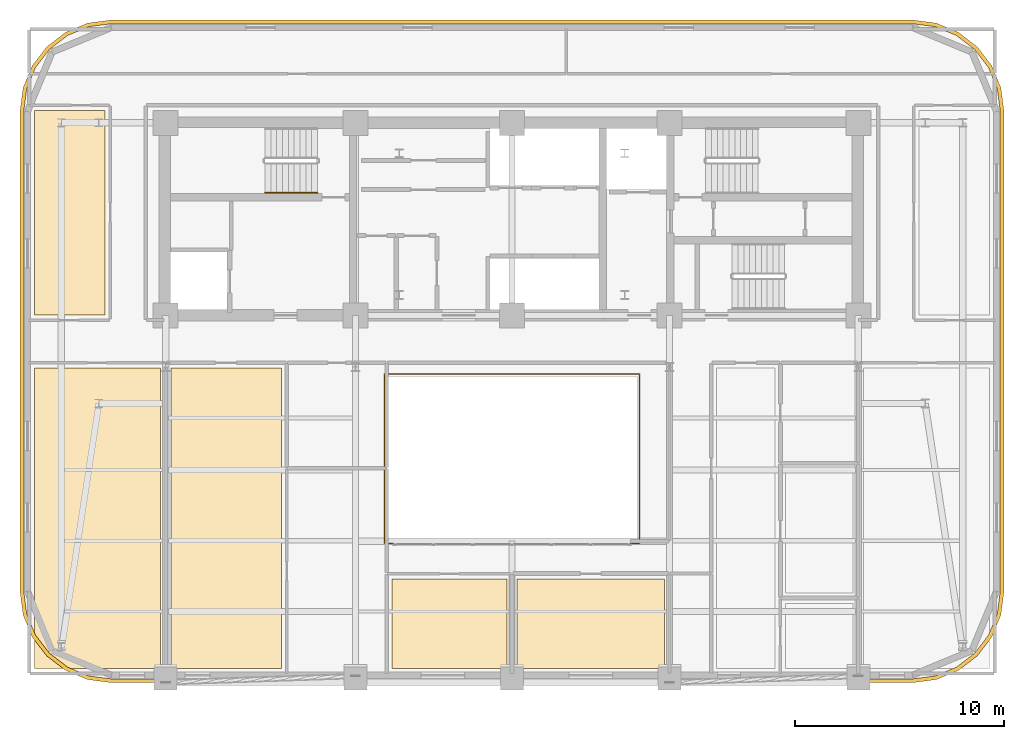
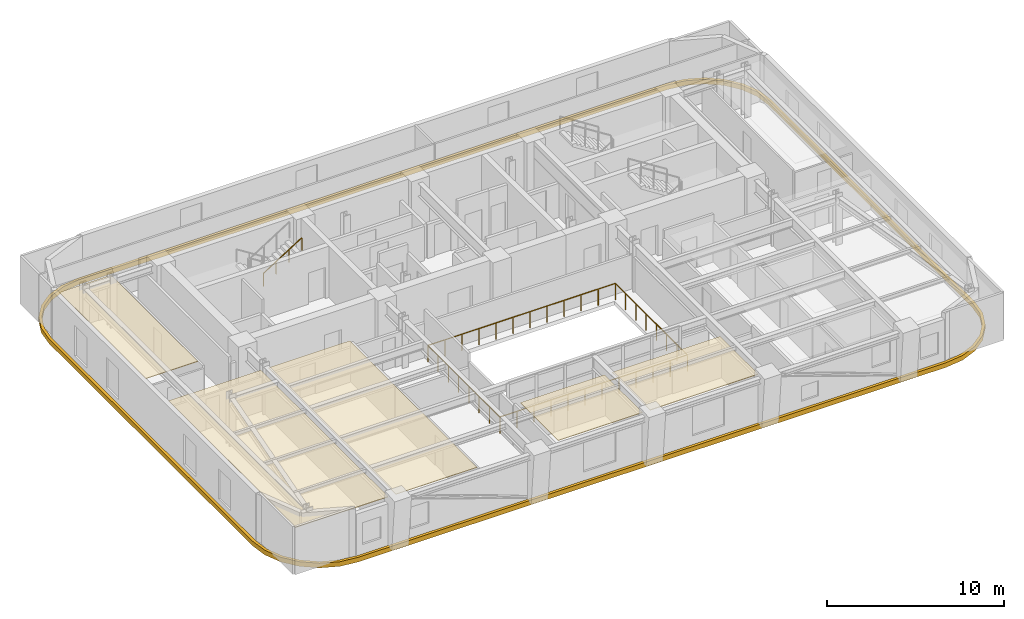
# One storey, part 10 of 12: 6 coverings, 2 railings.
"""IFC4 building model written with IfcOpenShell, lengths in metres."""

from ifc_helpers import new_model, si_unit, direction, frame, origin, origin_2d, place, context, subcontext, project, spatial, polyline, rectangle, outline, extrude, material, layer, layer_set, type_object, element, save


model = new_model("IFC4")

# Units and contexts
model_context = context("Model", 3, precision=1e-05, world=origin(), true_north=direction((0.0, 1.0)))
body_context = subcontext(model_context, "Body", "Model", "MODEL_VIEW")
ifc_project = project(units=[si_unit("LENGTHUNIT", "METRE"), si_unit("AREAUNIT", "SQUARE_METRE"), si_unit("VOLUMEUNIT", "CUBIC_METRE"), si_unit("PLANEANGLEUNIT", "RADIAN"), si_unit("MASSUNIT", "GRAM", prefix="KILO")], contexts=[model_context])

# Site, building, storey
site_placement = place(None, origin())
site = spatial("IfcSite", under=ifc_project, at=site_placement, CompositionType="ELEMENT")
building_placement = place(site_placement, origin())
building = spatial("IfcBuilding", under=site, at=building_placement, Name="Zarnavel Station Tower", CompositionType="ELEMENT")
storey_placement = place(building_placement, frame((0.0, 0.0, 173.199951171875)))
storey = spatial("IfcBuildingStorey", under=building, at=storey_placement, Name="L47", CompositionType="ELEMENT", Elevation=173.199951171875)

# Coverings
ifc_material_1 = material(Name="Perforated Gypsum and Mineral-Wool Acoustic Ceiling", Category="concrete")
ifc_layer = layer(ifc_material_1, 0.0400390625)
ifc_layer_set = layer_set([ifc_layer], Name="COV_CEIL_ACOUSTIC")
covering_type_1 = type_object("IfcCoveringType", Name="COV_CEIL_ACOUSTIC", PredefinedType="CEILING", material=ifc_layer_set)
covering_1_placement = place(storey_placement, frame((0.0, 0.0, 2.969970703125)))
element("IfcCovering", 1, at=covering_1_placement, inside=storey, type_object=covering_type_1, Name="L47 FNW Acoustic Ceiling", PredefinedType="CEILING", context=body_context, shape_type="SweptSolid", body=[
    extrude(outline(polyline([(5.909912109375, 27.85009765625), (9.300048828125, 27.85009765625), (9.300048828125, 37.64990234375), (5.909912109375, 37.64990234375), (5.909912109375, 27.85009765625)])), origin(), (0.0, 0.0, 1.0), 0.0400390625),
])
covering_2_placement = place(storey_placement, frame((0.0, 0.0, 2.969970703125)))
element("IfcCovering", 2, at=covering_2_placement, inside=storey, type_object=covering_type_1, Name="L47 L47SPA Acoustic Ceiling", PredefinedType="CEILING", context=body_context, shape_type="SweptSolid", body=[
    extrude(outline(polyline([(5.909912109375, 10.909912109375), (11.949951171875, 10.909912109375), (11.949951171875, 25.300048828125), (5.909912109375, 25.300048828125), (5.909912109375, 10.909912109375)])), origin(), (0.0, 0.0, 1.0), 0.0400390625),
])
covering_3_placement = place(storey_placement, frame((0.0, 0.0, 2.969970703125)))
element("IfcCovering", 3, at=covering_3_placement, inside=storey, type_object=covering_type_1, Name="L47 L47TRM Acoustic Ceiling", PredefinedType="CEILING", context=body_context, shape_type="SweptSolid", body=[
    extrude(outline(polyline([(12.449951171875, 10.909912109375), (17.75, 10.909912109375), (17.75, 25.300048828125), (12.449951171875, 25.300048828125), (12.449951171875, 10.909912109375)])), origin(), (0.0, 0.0, 1.0), 0.0400390625),
])
covering_4_placement = place(storey_placement, frame((0.0, 0.0, 2.969970703125)))
element("IfcCovering", 4, at=covering_4_placement, inside=storey, type_object=covering_type_1, Name="L47 L47DIN Acoustic Ceiling", PredefinedType="CEILING", context=body_context, shape_type="SweptSolid", body=[
    extrude(outline(polyline([(23.050048828125, 10.909912109375), (28.550048828125, 10.909912109375), (28.550048828125, 15.199951171875), (23.050048828125, 15.199951171875), (23.050048828125, 10.909912109375)])), origin(), (0.0, 0.0, 1.0), 0.0400390625),
])
covering_5_placement = place(storey_placement, frame((0.0, 0.0, 2.969970703125)))
element("IfcCovering", 5, at=covering_5_placement, inside=storey, type_object=covering_type_1, Name="L47 L47KIT Acoustic Ceiling", PredefinedType="CEILING", context=body_context, shape_type="SweptSolid", body=[
    extrude(outline(polyline([(29.050048828125, 10.909912109375), (36.10009765625, 10.909912109375), (36.10009765625, 15.199951171875), (29.050048828125, 15.199951171875), (29.050048828125, 10.909912109375)])), origin(), (0.0, 0.0, 1.0), 0.0400390625),
])
ifc_material_2 = material(Name="Precast concrete C45/55 (Pale Travertine Slab Band)", Category="masonry")
covering_type_2 = type_object("IfcCoveringType", Name="COV_TRAVERTINE_BAND", PredefinedType="CLADDING", material=ifc_material_2)
covering_6_placement = place(storey_placement, frame((0.0, 0.0, -0.260009765625)))
element("IfcCovering", 6, at=covering_6_placement, inside=storey, type_object=covering_type_2, Name="L47 Pale Travertine Slab-Edge Band", PredefinedType="CLADDING", context=body_context, shape_type="SweptSolid", body=[
    extrude(outline(polyline([(48.0, 10.219970703125), (49.133544921875, 10.369140625), (50.18994140625, 10.806884765625), (51.09716796875, 11.5029296875), (51.793212890625, 12.409912109375), (52.230712890625, 13.46630859375), (52.3798828125, 14.60009765625), (52.3798828125, 37.60009765625), (52.230712890625, 38.733642578125), (51.793212890625, 39.7900390625), (51.09716796875, 40.697021484375), (50.18994140625, 41.393310546875), (49.133544921875, 41.830810546875), (48.0, 41.97998046875), (9.60009765625, 41.97998046875), (8.46630859375, 41.830810546875), (7.409912109375, 41.393310546875), (6.5029296875, 40.697021484375), (5.806884765625, 39.7900390625), (5.369140625, 38.733642578125), (5.219970703125, 37.60009765625), (5.219970703125, 14.60009765625), (5.369140625, 13.46630859375), (5.806884765625, 12.409912109375), (6.5029296875, 11.5029296875), (7.409912109375, 10.806884765625), (8.46630859375, 10.369140625), (9.60009765625, 10.219970703125), (48.0, 10.219970703125)]), holes=[polyline([(48.0, 10.39990234375), (49.0869140625, 10.543212890625), (50.10009765625, 10.962646484375), (50.9697265625, 11.630126953125), (51.63720703125, 12.5), (52.056884765625, 13.512939453125), (52.199951171875, 14.60009765625), (52.199951171875, 37.60009765625), (52.056884765625, 38.68701171875), (51.63720703125, 39.699951171875), (50.9697265625, 40.56982421875), (50.10009765625, 41.2373046875), (49.0869140625, 41.656982421875), (48.0, 41.800048828125), (9.60009765625, 41.800048828125), (8.512939453125, 41.656982421875), (7.5, 41.2373046875), (6.630126953125, 40.56982421875), (5.962646484375, 39.699951171875), (5.543212890625, 38.68701171875), (5.39990234375, 37.60009765625), (5.39990234375, 14.60009765625), (5.543212890625, 13.512939453125), (5.962646484375, 12.5), (6.630126953125, 11.630126953125), (7.5, 10.962646484375), (8.512939453125, 10.543212890625), (9.60009765625, 10.39990234375), (48.0, 10.39990234375)])]), origin(), (0.0, 0.0, 1.0), 0.320068359375),
])

# Railings
ifc_material_3 = material(Name="Painted Steel S355J2 Balustrade", Category="steel")
railing_type_1 = type_object("IfcRailingType", Name="GR_INT_1150", PredefinedType="GUARDRAIL", material=ifc_material_3)
railing_1_placement = place(storey_placement, frame((22.679931640625, 16.8798828125, 0.0)))
element("IfcRailing", 7, at=railing_1_placement, inside=storey, type_object=railing_type_1, Name="L47 Atrium Void Guardrail", PredefinedType="GUARDRAIL", context=body_context, shape_type="SweptSolid", body=[
    extrude(rectangle(XDim=0.048095703125, YDim=0.048095703125, at=origin_2d()), frame((0.001953125, 0.0, 1.1259765625), z_axis=(1.0, 0.0, 0.0), x_axis=(0.0, 1.0, 0.0)), (0.0, 0.0, 1.0), 12.236083984375),
    extrude(rectangle(XDim=0.048095703125, YDim=0.048095703125, at=origin_2d()), frame((12.239990234375, 0.001953125, 1.1259765625), z_axis=(0.0, 1.0, 0.0), x_axis=(-1.0, 0.0, 0.0)), (0.0, 0.0, 1.0), 8.13623046875),
    extrude(rectangle(XDim=0.048095703125, YDim=0.048095703125, at=origin_2d()), frame((12.238037109375, 8.14013671875, 1.1259765625), z_axis=(-1.0, 0.0, 0.0), x_axis=(0.0, -1.0, 0.0)), (0.0, 0.0, 1.0), 12.236083984375),
    extrude(rectangle(XDim=0.048095703125, YDim=0.048095703125, at=origin_2d()), frame((0.0, 8.13818359375, 1.1259765625), z_axis=(0.0, -1.0, 0.0), x_axis=(1.0, 0.0, 0.0)), (0.0, 0.0, 1.0), 8.13623046875),
    extrude(rectangle(XDim=0.0419921875, YDim=0.0419921875, at=origin_2d()), origin(), (0.0, 0.0, 1.0), 1.101806640625),
    extrude(rectangle(XDim=0.0419921875, YDim=0.0419921875, at=origin_2d()), frame((1.11279296875, 0.0, 0.0)), (0.0, 0.0, 1.0), 1.101806640625),
    extrude(rectangle(XDim=0.0419921875, YDim=0.0419921875, at=origin_2d()), frame((2.225341796875, 0.0, 0.0)), (0.0, 0.0, 1.0), 1.101806640625),
    extrude(rectangle(XDim=0.0419921875, YDim=0.0419921875, at=origin_2d()), frame((3.338134765625, 0.0, 0.0)), (0.0, 0.0, 1.0), 1.101806640625),
    extrude(rectangle(XDim=0.0419921875, YDim=0.0419921875, at=origin_2d()), frame((4.450927734375, 0.0, 0.0)), (0.0, 0.0, 1.0), 1.101806640625),
    extrude(rectangle(XDim=0.0419921875, YDim=0.0419921875, at=origin_2d()), frame((5.563720703125, 0.0, 0.0)), (0.0, 0.0, 1.0), 1.101806640625),
    extrude(rectangle(XDim=0.0419921875, YDim=0.0419921875, at=origin_2d()), frame((6.67626953125, 0.0, 0.0)), (0.0, 0.0, 1.0), 1.101806640625),
    extrude(rectangle(XDim=0.0419921875, YDim=0.0419921875, at=origin_2d()), frame((7.7890625, 0.0, 0.0)), (0.0, 0.0, 1.0), 1.101806640625),
    extrude(rectangle(XDim=0.0419921875, YDim=0.0419921875, at=origin_2d()), frame((8.90185546875, 0.0, 0.0)), (0.0, 0.0, 1.0), 1.101806640625),
    extrude(rectangle(XDim=0.0419921875, YDim=0.0419921875, at=origin_2d()), frame((10.0146484375, 0.0, 0.0)), (0.0, 0.0, 1.0), 1.101806640625),
    extrude(rectangle(XDim=0.0419921875, YDim=0.0419921875, at=origin_2d()), frame((11.127197265625, 0.0, 0.0)), (0.0, 0.0, 1.0), 1.101806640625),
    extrude(rectangle(XDim=0.0419921875, YDim=0.0419921875, at=origin_2d()), frame((12.239990234375, 0.0, 0.0)), (0.0, 0.0, 1.0), 1.101806640625),
    extrude(rectangle(XDim=0.0419921875, YDim=0.0419921875, at=origin_2d()), frame((12.239990234375, 1.162841796875, 0.0)), (0.0, 0.0, 1.0), 1.101806640625),
    extrude(rectangle(XDim=0.0419921875, YDim=0.0419921875, at=origin_2d()), frame((12.239990234375, 2.32568359375, 0.0)), (0.0, 0.0, 1.0), 1.101806640625),
    extrude(rectangle(XDim=0.0419921875, YDim=0.0419921875, at=origin_2d()), frame((12.239990234375, 3.488525390625, 0.0)), (0.0, 0.0, 1.0), 1.101806640625),
    extrude(rectangle(XDim=0.0419921875, YDim=0.0419921875, at=origin_2d()), frame((12.239990234375, 4.651611328125, 0.0)), (0.0, 0.0, 1.0), 1.101806640625),
    extrude(rectangle(XDim=0.0419921875, YDim=0.0419921875, at=origin_2d()), frame((12.239990234375, 5.814453125, 0.0)), (0.0, 0.0, 1.0), 1.101806640625),
    extrude(rectangle(XDim=0.0419921875, YDim=0.0419921875, at=origin_2d()), frame((12.239990234375, 6.977294921875, 0.0)), (0.0, 0.0, 1.0), 1.101806640625),
    extrude(rectangle(XDim=0.0419921875, YDim=0.0419921875, at=origin_2d()), frame((12.239990234375, 8.14013671875, 0.0)), (0.0, 0.0, 1.0), 1.101806640625),
    extrude(rectangle(XDim=0.0419921875, YDim=0.0419921875, at=origin_2d()), frame((11.127197265625, 8.14013671875, 0.0)), (0.0, 0.0, 1.0), 1.101806640625),
    extrude(rectangle(XDim=0.0419921875, YDim=0.0419921875, at=origin_2d()), frame((10.0146484375, 8.14013671875, 0.0)), (0.0, 0.0, 1.0), 1.101806640625),
    extrude(rectangle(XDim=0.0419921875, YDim=0.0419921875, at=origin_2d()), frame((8.90185546875, 8.14013671875, 0.0)), (0.0, 0.0, 1.0), 1.101806640625),
    extrude(rectangle(XDim=0.0419921875, YDim=0.0419921875, at=origin_2d()), frame((7.7890625, 8.14013671875, 0.0)), (0.0, 0.0, 1.0), 1.101806640625),
    extrude(rectangle(XDim=0.0419921875, YDim=0.0419921875, at=origin_2d()), frame((6.67626953125, 8.14013671875, 0.0)), (0.0, 0.0, 1.0), 1.101806640625),
    extrude(rectangle(XDim=0.0419921875, YDim=0.0419921875, at=origin_2d()), frame((5.563720703125, 8.14013671875, 0.0)), (0.0, 0.0, 1.0), 1.101806640625),
    extrude(rectangle(XDim=0.0419921875, YDim=0.0419921875, at=origin_2d()), frame((4.450927734375, 8.14013671875, 0.0)), (0.0, 0.0, 1.0), 1.101806640625),
    extrude(rectangle(XDim=0.0419921875, YDim=0.0419921875, at=origin_2d()), frame((3.338134765625, 8.14013671875, 0.0)), (0.0, 0.0, 1.0), 1.101806640625),
    extrude(rectangle(XDim=0.0419921875, YDim=0.0419921875, at=origin_2d()), frame((2.225341796875, 8.14013671875, 0.0)), (0.0, 0.0, 1.0), 1.101806640625),
    extrude(rectangle(XDim=0.0419921875, YDim=0.0419921875, at=origin_2d()), frame((1.11279296875, 8.14013671875, 0.0)), (0.0, 0.0, 1.0), 1.101806640625),
    extrude(rectangle(XDim=0.0419921875, YDim=0.0419921875, at=origin_2d()), frame((0.0, 8.14013671875, 0.0)), (0.0, 0.0, 1.0), 1.101806640625),
    extrude(rectangle(XDim=0.0419921875, YDim=0.0419921875, at=origin_2d()), frame((0.0, 6.977294921875, 0.0)), (0.0, 0.0, 1.0), 1.101806640625),
    extrude(rectangle(XDim=0.0419921875, YDim=0.0419921875, at=origin_2d()), frame((0.0, 5.814453125, 0.0)), (0.0, 0.0, 1.0), 1.101806640625),
    extrude(rectangle(XDim=0.0419921875, YDim=0.0419921875, at=origin_2d()), frame((0.0, 4.651611328125, 0.0)), (0.0, 0.0, 1.0), 1.101806640625),
    extrude(rectangle(XDim=0.0419921875, YDim=0.0419921875, at=origin_2d()), frame((0.0, 3.488525390625, 0.0)), (0.0, 0.0, 1.0), 1.101806640625),
    extrude(rectangle(XDim=0.0419921875, YDim=0.0419921875, at=origin_2d()), frame((0.0, 2.32568359375, 0.0)), (0.0, 0.0, 1.0), 1.101806640625),
    extrude(rectangle(XDim=0.0419921875, YDim=0.0419921875, at=origin_2d()), frame((0.0, 1.162841796875, 0.0)), (0.0, 0.0, 1.0), 1.101806640625),
])
ifc_material_4 = material(Name="Brushed Stainless Steel S355J2 Handrail", Category="steel")
railing_type_2 = type_object("IfcRailingType", Name="HR_STAIR_900", PredefinedType="HANDRAIL", material=ifc_material_4)
railing_2_placement = place(storey_placement, frame((16.9599609375, 33.7099609375, 1.95263671875)))
element("IfcRailing", 8, at=railing_2_placement, inside=storey, type_object=railing_type_2, Name="L47 ST1 stair handrail 2", PredefinedType="HANDRAIL", context=body_context, shape_type="SweptSolid", body=[
    extrude(rectangle(XDim=0.048095703125, YDim=0.048095703125, at=origin_2d()), frame((0.001708984375, 0.0, 0.876953125), z_axis=(0.84460694969, 0.0, 0.535386869969), x_axis=(0.0, 1.0, 0.0)), (0.0, 0.0, 1.0), 2.979736328125),
    extrude(rectangle(XDim=0.0419921875, YDim=0.0419921875, at=origin_2d()), origin(), (0.0, 0.0, 1.0), 0.851806640625),
    extrude(rectangle(XDim=0.0419921875, YDim=0.0419921875, at=origin_2d()), frame((0.840087890625, 0.0, 0.532470703125)), (0.0, 0.0, 1.0), 0.851806640625),
    extrude(rectangle(XDim=0.0419921875, YDim=0.0419921875, at=origin_2d()), frame((1.679931640625, 0.0, 1.06494140625)), (0.0, 0.0, 1.0), 0.851806640625),
    extrude(rectangle(XDim=0.0419921875, YDim=0.0419921875, at=origin_2d()), frame((2.52001953125, 0.0, 1.597412109375)), (0.0, 0.0, 1.0), 0.851806640625),
])

save(model, "model.ifc")
